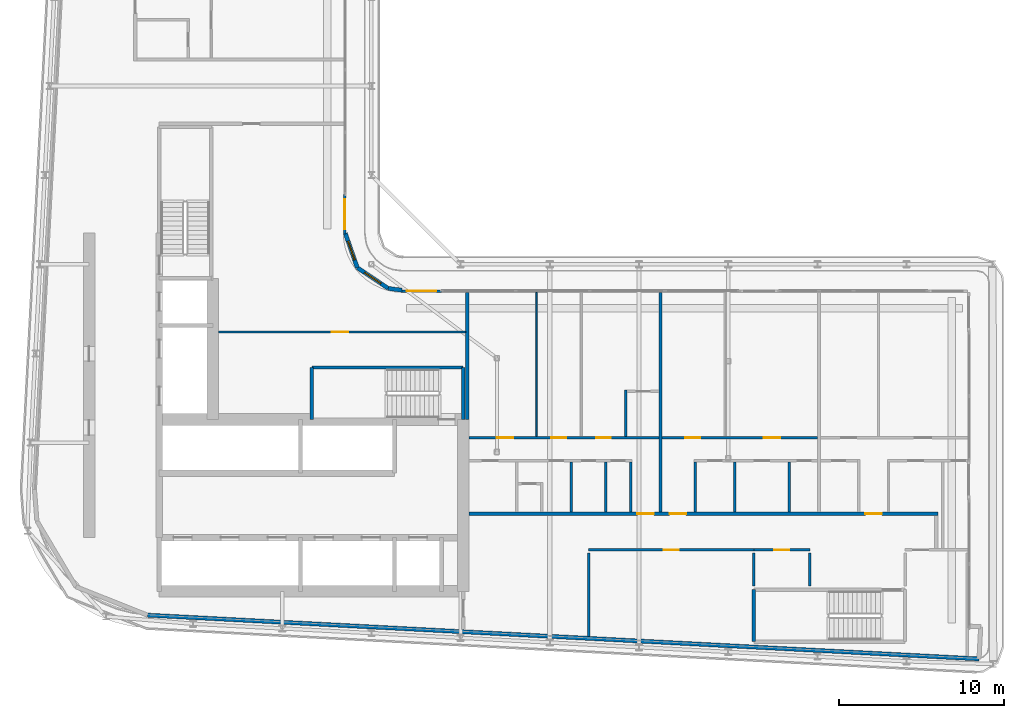
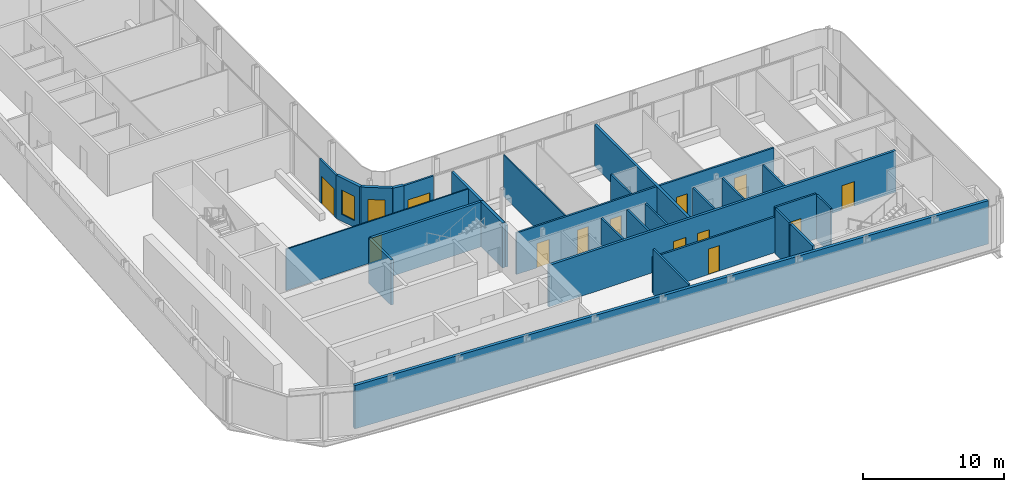
# One storey, part 11 of 22: 29 walls, 13 doors, 2 windows, 15 openings.
"""IFC4 building model written with IfcOpenShell, lengths in metres."""

from ifc_helpers import new_model, si_unit, direction, frame, frame_2d, origin, place, context, subcontext, project, spatial, rectangle, extrude, source, transform, mapped, material, layer, layer_set, type_object, element, fill, save


model = new_model("IFC4")

# Units and contexts
model_context = context("Model", 3, precision=1e-05, world=origin(), true_north=direction((0.0, 1.0)))
body_context = subcontext(model_context, "Body", "Model", "MODEL_VIEW")
ifc_project = project(units=[si_unit("LENGTHUNIT", "METRE"), si_unit("AREAUNIT", "SQUARE_METRE"), si_unit("VOLUMEUNIT", "CUBIC_METRE"), si_unit("PLANEANGLEUNIT", "RADIAN"), si_unit("MASSUNIT", "GRAM", prefix="KILO")], contexts=[model_context])

# Site, building, storey
site_placement = place(None, origin())
site = spatial("IfcSite", under=ifc_project, at=site_placement, CompositionType="ELEMENT")
building_placement = place(site_placement, origin())
building = spatial("IfcBuilding", under=site, at=building_placement, Name="Kheshtan School and Residences Tower", CompositionType="ELEMENT")
storey_placement = place(building_placement, frame((0.0, 0.0, 216.199951171875)))
storey = spatial("IfcBuildingStorey", under=building, at=storey_placement, Name="L50", CompositionType="ELEMENT", Elevation=216.199951171875)

# Wall, openings, doors
ifc_material_1 = material(Name="Gypsum board on steel studs with fire boards", Category="steel")
ifc_layer_1 = layer(ifc_material_1, 0.199951171875)
ifc_layer_set_1 = layer_set([ifc_layer_1], Name="Corridor wall 200")
wall_type_1 = type_object("IfcWallType", Name="Corridor wall 200", PredefinedType="PARTITIONING", material=ifc_layer_set_1)
wall_1_placement = place(storey_placement, frame((53.4990234375, 30.5, 0.0), z_axis=(0.0, 0.0, 1.0), x_axis=(1.0, 0.0, 0.0)))
wall_1 = element("IfcWall", 1, at=wall_1_placement, inside=storey, type_object=wall_type_1, Name="Partition L50-024", PredefinedType="PARTITIONING", context=body_context, shape_type="SweptSolid", body=[
    extrude(rectangle(XDim=28.40087890625, YDim=0.199951171875, at=frame_2d((14.200439453125, 0.0))), origin(), (0.0, 0.0, 1.0), 3.60009765625),
])
opening_1_placement = place(wall_1_placement, frame((10.200927734375, 0.0, 0.0)))
opening_1 = element("IfcOpeningElement", 2, at=opening_1_placement, cuts=wall_1, Name="Opening D50-004", PredefinedType="OPENING", context=body_context, shape_type="SweptSolid", body=[
    extrude(rectangle(XDim=1.0, YDim=2.10009765625, at=frame_2d((0.5, 1.050048828125))), frame((0.0, 0.10986328125, 0.0), z_axis=(0.0, -1.0, 0.0), x_axis=(1.0, 0.0, 0.0)), (0.0, 0.0, 1.0), 0.219970703125),
])
opening_2_placement = place(wall_1_placement, frame((12.15087890625, 0.0, 0.0)))
opening_2 = element("IfcOpeningElement", 3, at=opening_2_placement, cuts=wall_1, Name="Opening D50-013", PredefinedType="OPENING", context=body_context, shape_type="SweptSolid", body=[
    extrude(rectangle(XDim=1.0, YDim=2.10009765625, at=frame_2d((0.5, 1.050048828125))), frame((0.0, 0.10986328125, 0.0), z_axis=(0.0, -1.0, 0.0), x_axis=(1.0, 0.0, 0.0)), (0.0, 0.0, 1.0), 0.219970703125),
])
opening_3_placement = place(wall_1_placement, frame((24.0009765625, 0.0, 0.0)))
opening_3 = element("IfcOpeningElement", 4, at=opening_3_placement, cuts=wall_1, Name="Opening D50-019", PredefinedType="OPENING", context=body_context, shape_type="SweptSolid", body=[
    extrude(rectangle(XDim=1.0, YDim=2.10009765625, at=frame_2d((0.5, 1.050048828125))), frame((0.0, 0.10986328125, 0.0), z_axis=(0.0, -1.0, 0.0), x_axis=(1.0, 0.0, 0.0)), (0.0, 0.0, 1.0), 0.219970703125),
])
ifc_material_2 = material(Name="Steel-framed fire-resisting door leaf", Category="steel")
door_type_1 = type_object("IfcDoorType", Name="Fire door FD30S 1000 x 2100", OperationType="SINGLE_SWING_LEFT", PredefinedType="DOOR", material=ifc_material_2)
shared_shape_1 = source(origin(), body_context, "Body", "SweptSolid", [
    extrude(rectangle(XDim=1.0, YDim=2.10009765625, at=frame_2d((0.5, 1.050048828125))), frame((0.0, 0.02490234375, 0.0), z_axis=(0.0, -1.0, 0.0), x_axis=(1.0, 0.0, 0.0)), (0.0, 0.0, 1.0), 0.050048828125),
])
door_1_placement = place(opening_1_placement, origin())
door_1 = element("IfcDoor", 5, at=door_1_placement, inside=storey, type_object=door_type_1, Name="Door D50-004", OperationType="SINGLE_SWING_RIGHT", OverallHeight=2.10009765625, OverallWidth=1.0, PredefinedType="DOOR", context=body_context, shape_type="MappedRepresentation", body=[
    mapped(shared_shape_1, transform((0.0, 0.0, 0.0), x_axis=(1.0, 0.0, 0.0), y_axis=(0.0, 1.0, 0.0), z_axis=(0.0, 0.0, 1.0), scale=1.0)),
])
fill(opening_1, door_1)
door_2_placement = place(opening_2_placement, origin())
door_2 = element("IfcDoor", 6, at=door_2_placement, inside=storey, type_object=door_type_1, Name="Door D50-013", OperationType="SINGLE_SWING_RIGHT", OverallHeight=2.10009765625, OverallWidth=1.0, PredefinedType="DOOR", context=body_context, shape_type="MappedRepresentation", body=[
    mapped(shared_shape_1, transform((0.0, 0.0, 0.0), x_axis=(1.0, 0.0, 0.0), y_axis=(0.0, 1.0, 0.0), z_axis=(0.0, 0.0, 1.0), scale=1.0)),
])
fill(opening_2, door_2)
door_3_placement = place(opening_3_placement, origin())
door_3 = element("IfcDoor", 7, at=door_3_placement, inside=storey, type_object=door_type_1, Name="Door D50-019", OperationType="SINGLE_SWING_RIGHT", OverallHeight=2.10009765625, OverallWidth=1.0, PredefinedType="DOOR", context=body_context, shape_type="MappedRepresentation", body=[
    mapped(shared_shape_1, transform((0.0, 0.0, 0.0), x_axis=(1.0, 0.0, 0.0), y_axis=(0.0, 1.0, 0.0), z_axis=(0.0, 0.0, 1.0), scale=1.0)),
])
fill(opening_3, door_3)

# Wall, opening, window
ifc_material_3 = material(Name="Concrete C40/50 with ceramic cladding and mineral wool insulation", Category="concrete")
ifc_layer_2 = layer(ifc_material_3, 0.25)
ifc_layer_set_2 = layer_set([ifc_layer_2], Name="External wall 250 ceramic clad")
wall_type_2 = type_object("IfcWallType", Name="External wall 250 ceramic clad", PredefinedType="SOLIDWALL", material=ifc_layer_set_2)
wall_2_placement = place(storey_placement, frame((46.01806640625, 47.470947265625, 0.0), z_axis=(0.0, 0.0, 1.0), x_axis=(0.328791208903, -0.944402637093, 0.0)))
wall_2 = element("IfcWall", 8, at=wall_2_placement, inside=storey, type_object=wall_type_2, Name="External wall L50 5", PredefinedType="SOLIDWALL", context=body_context, shape_type="SweptSolid", body=[
    extrude(rectangle(XDim=2.20458984375, YDim=0.25, at=frame_2d((1.102294921875, 0.0))), origin(), (0.0, 0.0, 1.0), 3.75),
])
opening_4_placement = place(wall_2_placement, frame((0.5029296875, 0.0, 0.60009765625)))
opening_4 = element("IfcOpeningElement", 9, at=opening_4_placement, cuts=wall_2, Name="Opening WN-E", PredefinedType="OPENING", context=body_context, shape_type="SweptSolid", body=[
    extrude(rectangle(XDim=1.199951171875, YDim=2.10009765625, at=frame_2d((0.60009765625, 1.050048828125))), frame((0.0, 0.135009765625, 0.0), z_axis=(0.0, -1.0, 0.0), x_axis=(1.0, 0.0, 0.0)), (0.0, 0.0, 1.0), 0.27001953125),
])
ifc_material_4 = material(Name="Clear low-e glass in thermally broken aluminium frame", Category="aluminium")
window_type = type_object("IfcWindowType", Name="Window WN-E", PartitioningType="SINGLE_PANEL", PredefinedType="WINDOW", material=ifc_material_4)
shared_shape_2 = source(origin(), body_context, "Body", "SweptSolid", [
    extrude(rectangle(XDim=1.199951171875, YDim=2.10009765625, at=frame_2d((0.60009765625, 1.050048828125))), frame((0.0, 0.030029296875, 0.0), z_axis=(0.0, -1.0, 0.0), x_axis=(1.0, 0.0, 0.0)), (0.0, 0.0, 1.0), 0.06005859375),
])
window_1_placement = place(opening_4_placement, origin())
window_1 = element("IfcWindow", 10, at=window_1_placement, inside=storey, type_object=window_type, Name="Window L50 5", OverallHeight=2.10009765625, OverallWidth=1.199951171875, PartitioningType="SINGLE_PANEL", PredefinedType="WINDOW", context=body_context, shape_type="MappedRepresentation", body=[
    mapped(shared_shape_2, transform((0.0, 0.0, 0.0), x_axis=(1.0, 0.0, 0.0), y_axis=(0.0, 1.0, 0.0), z_axis=(0.0, 0.0, 1.0), scale=1.0)),
])
fill(opening_4, window_1)

wall_3_placement = place(storey_placement, frame((46.742919921875, 45.388916015625, 0.0), z_axis=(0.0, 0.0, 1.0), x_axis=(0.831449265529, -0.555600682912, 0.0)))
wall_3 = element("IfcWall", 11, at=wall_3_placement, inside=storey, type_object=wall_type_2, Name="External wall L50 6", PredefinedType="SOLIDWALL", context=body_context, shape_type="SweptSolid", body=[
    extrude(rectangle(XDim=2.25146484375, YDim=0.25, at=frame_2d((1.125732421875, 0.0))), origin(), (0.0, 0.0, 1.0), 3.75),
])
opening_5_placement = place(wall_3_placement, frame((0.52490234375, 0.0, 0.60009765625)))
opening_5 = element("IfcOpeningElement", 12, at=opening_5_placement, cuts=wall_3, Name="Opening WN-E", PredefinedType="OPENING", context=body_context, shape_type="SweptSolid", body=[
    extrude(rectangle(XDim=1.199951171875, YDim=2.10009765625, at=frame_2d((0.60009765625, 1.050048828125))), frame((0.0, 0.135009765625, 0.0), z_axis=(0.0, -1.0, 0.0), x_axis=(1.0, 0.0, 0.0)), (0.0, 0.0, 1.0), 0.27001953125),
])
window_2_placement = place(opening_5_placement, origin())
window_2 = element("IfcWindow", 13, at=window_2_placement, inside=storey, type_object=window_type, Name="Window L50 6", OverallHeight=2.10009765625, OverallWidth=1.199951171875, PartitioningType="SINGLE_PANEL", PredefinedType="WINDOW", context=body_context, shape_type="MappedRepresentation", body=[
    mapped(shared_shape_2, transform((0.0, 0.0, 0.0), x_axis=(1.0, 0.0, 0.0), y_axis=(0.0, 1.0, 0.0), z_axis=(0.0, 0.0, 1.0), scale=1.0)),
])
fill(opening_5, window_2)

# Walls
wall_4_placement = place(storey_placement, frame((48.614990234375, 44.137939453125, 0.0), z_axis=(0.0, 0.0, 1.0), x_axis=(0.990741504246, -0.135761819977, 0.0)))
element("IfcWall", 14, at=wall_4_placement, inside=storey, type_object=wall_type_2, Name="External wall L50 7", PredefinedType="SOLIDWALL", context=body_context, shape_type="SweptSolid", body=[
    extrude(rectangle(XDim=0.83984375, YDim=0.25, at=frame_2d((0.419921875, 0.0))), origin(), (0.0, 0.0, 1.0), 3.75),
])
wall_5_placement = place(storey_placement, frame((84.385986328125, 21.702880859375, 0.0), z_axis=(0.0, 0.0, 1.0), x_axis=(-0.998617508267, 0.05256493302, 0.0)))
element("IfcWall", 15, at=wall_5_placement, inside=storey, type_object=wall_type_2, Name="External wall L50 12", PredefinedType="SOLIDWALL", context=body_context, shape_type="SweptSolid", body=[
    extrude(rectangle(XDim=50.41650390625, YDim=0.25, at=frame_2d((25.208251953125, 0.0))), origin(), (0.0, 0.0, 1.0), 3.75),
])

# Wall, opening, door
ifc_material_5 = material(Name="Aluminium frame wall with insulated infill", Category="aluminium")
ifc_layer_3 = layer(ifc_material_5, 0.14990234375)
ifc_layer_set_3 = layer_set([ifc_layer_3], Name="Glazing frame wall 150")
wall_type_3 = type_object("IfcWallType", Name="Glazing frame wall 150", PredefinedType="SOLIDWALL", material=ifc_layer_set_3)
wall_6_placement = place(storey_placement, frame((45.97509765625, 49.830078125, 0.0), z_axis=(0.0, 0.0, 1.0), x_axis=(0.0, -1.0, 0.0)))
wall_6 = element("IfcWall", 16, at=wall_6_placement, inside=storey, type_object=wall_type_3, Name="Balcony door wall L50 4.4", PredefinedType="SOLIDWALL", context=body_context, shape_type="SweptSolid", body=[
    extrude(rectangle(XDim=2.400146484375, YDim=0.14990234375, at=frame_2d((1.2001953125, 0.0))), origin(), (0.0, 0.0, 1.0), 3.75),
])
opening_6_placement = place(wall_6_placement, frame((0.300048828125, 0.0, 0.0)))
opening_6 = element("IfcOpeningElement", 17, at=opening_6_placement, cuts=wall_6, Name="Opening BD", PredefinedType="OPENING", context=body_context, shape_type="SweptSolid", body=[
    extrude(rectangle(XDim=1.800048828125, YDim=2.39990234375, at=frame_2d((0.89990234375, 1.199951171875))), frame((0.0, 0.0849609375, 0.0), z_axis=(0.0, -1.0, 0.0), x_axis=(1.0, 0.0, 0.0)), (0.0, 0.0, 1.0), 0.169921875),
])
door_type_2 = type_object("IfcDoorType", Name="Balcony sliding door", OperationType="SLIDING_TO_LEFT", PredefinedType="DOOR", material=ifc_material_4)
shared_shape_3 = source(origin(), body_context, "Body", "SweptSolid", [
    extrude(rectangle(XDim=1.800048828125, YDim=2.39990234375, at=frame_2d((0.89990234375, 1.199951171875))), frame((0.0, 0.02490234375, 0.0), z_axis=(0.0, -1.0, 0.0), x_axis=(1.0, 0.0, 0.0)), (0.0, 0.0, 1.0), 0.050048828125),
])
door_4_placement = place(opening_6_placement, origin())
door_4 = element("IfcDoor", 18, at=door_4_placement, inside=storey, type_object=door_type_2, Name="Balcony door L50 4.4", OperationType="SLIDING_TO_LEFT", OverallHeight=2.39990234375, OverallWidth=1.800048828125, PredefinedType="DOOR", context=body_context, shape_type="MappedRepresentation", body=[
    mapped(shared_shape_3, transform((0.0, 0.0, 0.0), x_axis=(1.0, 0.0, 0.0), y_axis=(0.0, 1.0, 0.0), z_axis=(0.0, 0.0, 1.0), scale=1.0)),
])
fill(opening_6, door_4)

wall_7_placement = place(storey_placement, frame((49.429931640625, 43.97509765625, 0.0), z_axis=(0.0, 0.0, 1.0), x_axis=(1.0, 0.0, 0.0)))
wall_7 = element("IfcWall", 19, at=wall_7_placement, inside=storey, type_object=wall_type_3, Name="Balcony door wall L50 8.1", PredefinedType="SOLIDWALL", context=body_context, shape_type="SweptSolid", body=[
    extrude(rectangle(XDim=2.400146484375, YDim=0.14990234375, at=frame_2d((1.2001953125, 0.0))), origin(), (0.0, 0.0, 1.0), 3.75),
])
opening_7_placement = place(wall_7_placement, frame((0.300048828125, 0.0, 0.0)))
opening_7 = element("IfcOpeningElement", 20, at=opening_7_placement, cuts=wall_7, Name="Opening BD", PredefinedType="OPENING", context=body_context, shape_type="SweptSolid", body=[
    extrude(rectangle(XDim=1.800048828125, YDim=2.39990234375, at=frame_2d((0.89990234375, 1.199951171875))), frame((0.0, 0.0849609375, 0.0), z_axis=(0.0, -1.0, 0.0), x_axis=(1.0, 0.0, 0.0)), (0.0, 0.0, 1.0), 0.169921875),
])
door_5_placement = place(opening_7_placement, origin())
door_5 = element("IfcDoor", 21, at=door_5_placement, inside=storey, type_object=door_type_2, Name="Balcony door L50 8.1", OperationType="SLIDING_TO_LEFT", OverallHeight=2.39990234375, OverallWidth=1.800048828125, PredefinedType="DOOR", context=body_context, shape_type="MappedRepresentation", body=[
    mapped(shared_shape_3, transform((0.0, 0.0, 0.0), x_axis=(1.0, 0.0, 0.0), y_axis=(0.0, 1.0, 0.0), z_axis=(0.0, 0.0, 1.0), scale=1.0)),
])
fill(opening_7, door_5)

ifc_material_6 = material(Name="Gypsum board on steel studs", Category="steel")
ifc_layer_4 = layer(ifc_material_6, 0.10009765625)
ifc_layer_set_4 = layer_set([ifc_layer_4], Name="Gypsum partition 100")
wall_type_4 = type_object("IfcWallType", Name="Gypsum partition 100", PredefinedType="PARTITIONING", material=ifc_layer_set_4)
wall_8_placement = place(storey_placement, frame((38.34912109375, 41.5, 0.0), z_axis=(0.0, 0.0, 1.0), x_axis=(1.0, 0.0, 0.0)))
wall_8 = element("IfcWall", 22, at=wall_8_placement, inside=storey, type_object=wall_type_4, Name="Partition L50-021", PredefinedType="PARTITIONING", context=body_context, shape_type="SweptSolid", body=[
    extrude(rectangle(XDim=14.950927734375, YDim=0.10009765625, at=frame_2d((7.4755859375, 0.0))), origin(), (0.0, 0.0, 1.0), 3.60009765625),
])
opening_8_placement = place(wall_8_placement, frame((6.85107421875, 0.0, 0.0)))
opening_8 = element("IfcOpeningElement", 23, at=opening_8_placement, cuts=wall_8, Name="Opening D50-035", PredefinedType="OPENING", context=body_context, shape_type="SweptSolid", body=[
    extrude(rectangle(XDim=1.0, YDim=2.10009765625, at=frame_2d((0.5, 1.050048828125))), frame((0.0, 0.06005859375, 0.0), z_axis=(0.0, -1.0, 0.0), x_axis=(1.0, 0.0, 0.0)), (0.0, 0.0, 1.0), 0.1201171875),
])
ifc_material_7 = material(Name="Veneered timber door leaf", Category="wood")
door_type_3 = type_object("IfcDoorType", Name="Door 1000 x 2100", OperationType="SINGLE_SWING_LEFT", PredefinedType="DOOR", material=ifc_material_7)
shared_shape_4 = source(origin(), body_context, "Body", "SweptSolid", [
    extrude(rectangle(XDim=1.0, YDim=2.10009765625, at=frame_2d((0.5, 1.050048828125))), frame((0.0, 0.02490234375, 0.0), z_axis=(0.0, -1.0, 0.0), x_axis=(1.0, 0.0, 0.0)), (0.0, 0.0, 1.0), 0.050048828125),
])
door_6_placement = place(opening_8_placement, origin())
door_6 = element("IfcDoor", 24, at=door_6_placement, inside=storey, type_object=door_type_3, Name="Door D50-035", OperationType="SINGLE_SWING_RIGHT", OverallHeight=2.10009765625, OverallWidth=1.0, PredefinedType="DOOR", context=body_context, shape_type="MappedRepresentation", body=[
    mapped(shared_shape_4, transform((0.0, 0.0, 0.0), x_axis=(1.0, 0.0, 0.0), y_axis=(0.0, 1.0, 0.0), z_axis=(0.0, 0.0, 1.0), scale=1.0)),
])
fill(opening_8, door_6)

# Wall
wall_9_placement = place(storey_placement, frame((57.60009765625, 35.175048828125, 0.0), z_axis=(0.0, 0.0, 1.0), x_axis=(0.0, 1.0, 0.0)))
element("IfcWall", 25, at=wall_9_placement, inside=storey, type_object=wall_type_4, Name="Partition L50-029", PredefinedType="PARTITIONING", context=body_context, shape_type="SweptSolid", body=[
    extrude(rectangle(XDim=8.724853515625, YDim=0.10009765625, at=frame_2d((4.3623046875, 0.0))), origin(), (0.0, 0.0, 1.0), 3.60009765625),
])

# Wall, opening, door
ifc_material_8 = material(Name="Fire-board shaft wall system")
ifc_layer_5 = layer(ifc_material_8, 0.14990234375)
ifc_layer_set_5 = layer_set([ifc_layer_5], Name="Service room wall 150")
wall_type_5 = type_object("IfcWallType", Name="Service room wall 150", PredefinedType="PARTITIONING", material=ifc_layer_set_5)
wall_10_placement = place(storey_placement, frame((60.75, 28.300048828125, 0.0), z_axis=(0.0, 0.0, 1.0), x_axis=(1.0, 0.0, 0.0)))
wall_10 = element("IfcWall", 26, at=wall_10_placement, inside=storey, type_object=wall_type_5, Name="Service room wall", PredefinedType="PARTITIONING", context=body_context, shape_type="SweptSolid", body=[
    extrude(rectangle(XDim=10.0, YDim=0.14990234375, at=frame_2d((5.0, 0.0))), origin(), (0.0, 0.0, 1.0), 3.072021484375),
])
opening_9_placement = place(wall_10_placement, frame((4.550048828125, 0.0, 0.0)))
opening_9 = element("IfcOpeningElement", 27, at=opening_9_placement, cuts=wall_10, Name="Opening SR90", PredefinedType="OPENING", context=body_context, shape_type="SweptSolid", body=[
    extrude(rectangle(XDim=0.89990234375, YDim=2.199951171875, at=frame_2d((0.449951171875, 1.10009765625))), frame((0.0, 0.0849609375, 0.0), z_axis=(0.0, -1.0, 0.0), x_axis=(1.0, 0.0, 0.0)), (0.0, 0.0, 1.0), 0.169921875),
])
ifc_material_9 = material(Name="Steel door leaf, galvanised", Category="steel")
door_type_4 = type_object("IfcDoorType", Name="Service room door 900 steel 90 min", OperationType="SINGLE_SWING_LEFT", PredefinedType="DOOR", material=ifc_material_9)
shared_shape_5 = source(origin(), body_context, "Body", "SweptSolid", [
    extrude(rectangle(XDim=0.89990234375, YDim=2.199951171875, at=frame_2d((0.449951171875, 1.10009765625))), frame((0.0, 0.02490234375, 0.0), z_axis=(0.0, -1.0, 0.0), x_axis=(1.0, 0.0, 0.0)), (0.0, 0.0, 1.0), 0.050048828125),
])
door_7_placement = place(opening_9_placement, origin())
door_7 = element("IfcDoor", 28, at=door_7_placement, inside=storey, type_object=door_type_4, Name="Service room door", OperationType="SINGLE_SWING_LEFT", OverallHeight=2.199951171875, OverallWidth=0.89990234375, PredefinedType="DOOR", context=body_context, shape_type="MappedRepresentation", body=[
    mapped(shared_shape_5, transform((0.0, 0.0, 0.0), x_axis=(1.0, 0.0, 0.0), y_axis=(0.0, 1.0, 0.0), z_axis=(0.0, 0.0, 1.0), scale=1.0)),
])
fill(opening_9, door_7)

# Walls
wall_11_placement = place(storey_placement, frame((60.75, 23.074951171875, 0.0), z_axis=(0.0, 0.0, 1.0), x_axis=(0.0, 1.0, 0.0)))
element("IfcWall", 29, at=wall_11_placement, inside=storey, type_object=wall_type_5, Name="Service room wall", PredefinedType="PARTITIONING", context=body_context, shape_type="SweptSolid", body=[
    extrude(rectangle(XDim=5.030029296875, YDim=0.14990234375, at=frame_2d((2.51513671875, 0.0))), origin(), (0.0, 0.0, 1.0), 3.900146484375),
])
wall_12_placement = place(storey_placement, frame((70.75, 26.1201171875, 0.0), z_axis=(0.0, 0.0, 1.0), x_axis=(0.0, 1.0, 0.0)))
element("IfcWall", 30, at=wall_12_placement, inside=storey, type_object=wall_type_5, Name="Service room wall", PredefinedType="PARTITIONING", context=body_context, shape_type="SweptSolid", body=[
    extrude(rectangle(XDim=1.98486328125, YDim=0.14990234375, at=frame_2d((0.992431640625, 0.0))), origin(), (0.0, 0.0, 1.0), 3.900146484375),
])

# Wall, opening, door
wall_13_placement = place(storey_placement, frame((70.75, 28.300048828125, 0.0), z_axis=(0.0, 0.0, 1.0), x_axis=(1.0, 0.0, 0.0)))
wall_13 = element("IfcWall", 31, at=wall_13_placement, inside=storey, type_object=wall_type_5, Name="Service room wall", PredefinedType="PARTITIONING", context=body_context, shape_type="SweptSolid", body=[
    extrude(rectangle(XDim=3.39404296875, YDim=0.14990234375, at=frame_2d((1.697021484375, 0.0))), origin(), (0.0, 0.0, 1.0), 3.900146484375),
])
opening_10_placement = place(wall_13_placement, frame((1.2470703125, 0.0, 0.0)))
opening_10 = element("IfcOpeningElement", 32, at=opening_10_placement, cuts=wall_13, Name="Opening SR90", PredefinedType="OPENING", context=body_context, shape_type="SweptSolid", body=[
    extrude(rectangle(XDim=0.89990234375, YDim=2.199951171875, at=frame_2d((0.449951171875, 1.10009765625))), frame((0.0, 0.0849609375, 0.0), z_axis=(0.0, -1.0, 0.0), x_axis=(1.0, 0.0, 0.0)), (0.0, 0.0, 1.0), 0.169921875),
])
door_8_placement = place(opening_10_placement, origin())
door_8 = element("IfcDoor", 33, at=door_8_placement, inside=storey, type_object=door_type_4, Name="Service room door", OperationType="SINGLE_SWING_LEFT", OverallHeight=2.199951171875, OverallWidth=0.89990234375, PredefinedType="DOOR", context=body_context, shape_type="MappedRepresentation", body=[
    mapped(shared_shape_5, transform((0.0, 0.0, 0.0), x_axis=(1.0, 0.0, 0.0), y_axis=(0.0, 1.0, 0.0), z_axis=(0.0, 0.0, 1.0), scale=1.0)),
])
fill(opening_10, door_8)

# Walls
wall_14_placement = place(storey_placement, frame((74.14404296875, 26.1201171875, 0.0), z_axis=(0.0, 0.0, 1.0), x_axis=(0.0, 1.0, 0.0)))
element("IfcWall", 34, at=wall_14_placement, inside=storey, type_object=wall_type_5, Name="Service room wall", PredefinedType="PARTITIONING", context=body_context, shape_type="SweptSolid", body=[
    extrude(rectangle(XDim=1.98486328125, YDim=0.14990234375, at=frame_2d((0.992431640625, 0.0))), origin(), (0.0, 0.0, 1.0), 3.900146484375),
])
ifc_material_10 = material(Name="Concrete C40/50", Category="concrete")
ifc_layer_6 = layer(ifc_material_10, 0.199951171875)
ifc_layer_set_6 = layer_set([ifc_layer_6], Name="Stair enclosure wall 200 Concrete C40/50")
wall_type_6 = type_object("IfcWallType", Name="Stair enclosure wall 200 Concrete C40/50", PredefinedType="SHEAR", material=ifc_layer_set_6)
wall_15_placement = place(storey_placement, frame((43.989990234375, 39.35009765625, 0.0), z_axis=(0.0, 0.0, 1.0), x_axis=(1.0, 0.0, 0.0)))
element("IfcWall", 35, at=wall_15_placement, inside=storey, type_object=wall_type_6, Name="Stair enclosure wall ST1", PredefinedType="SHEAR", context=body_context, shape_type="SweptSolid", body=[
    extrude(rectangle(XDim=9.159912109375, YDim=0.199951171875, at=frame_2d((4.580078125, 0.0))), origin(), (0.0, 0.0, 1.0), 3.900146484375),
])
for number, where, z_axis, x_axis, name in (
    (36, (43.989990234375, 36.199951171875, 0.0), (0.0, 0.0, 1.0), (0.0, 1.0, 0.0), "Stair enclosure wall ST1"),
    (37, (53.14990234375, 36.199951171875, 0.0), (0.0, 0.0, 1.0), (0.0, 1.0, 0.0), "Stair enclosure wall ST1"),
):
    element("IfcWall", number, at=place(storey_placement, frame(where, z_axis=z_axis, x_axis=x_axis)), inside=storey, type_object=wall_type_6, Name=name, PredefinedType="SHEAR", context=body_context, shape_type="SweptSolid", body=[
        extrude(rectangle(XDim=3.150146484375, YDim=0.199951171875, at=frame_2d((1.5751953125, 0.0))), origin(), (0.0, 0.0, 1.0), 3.900146484375),
    ])
wall_16_placement = place(storey_placement, frame((70.75, 22.75, 0.0), z_axis=(0.0, 0.0, 1.0), x_axis=(0.0, 1.0, 0.0)))
element("IfcWall", 38, at=wall_16_placement, inside=storey, type_object=wall_type_6, Name="Stair enclosure wall ST5", PredefinedType="SHEAR", context=body_context, shape_type="SweptSolid", body=[
    extrude(rectangle(XDim=3.14990234375, YDim=0.199951171875, at=frame_2d((1.574951171875, 0.0))), origin(), (0.0, 0.0, 1.0), 3.900146484375),
])
ifc_material_11 = material(Name="Twin gypsum board on steel studs with mineral wool", Category="steel")
ifc_layer_7 = layer(ifc_material_11, 0.199951171875)
ifc_layer_set_7 = layer_set([ifc_layer_7], Name="Unit demising wall 200")
wall_type_7 = type_object("IfcWallType", Name="Unit demising wall 200", PredefinedType="PARTITIONING", material=ifc_layer_set_7)
wall_17_placement = place(storey_placement, frame((53.39990234375, 36.198974609375, 0.0), z_axis=(0.0, 0.0, 1.0), x_axis=(0.0, 1.0, 0.0)))
element("IfcWall", 39, at=wall_17_placement, inside=storey, type_object=wall_type_7, Name="Partition L50-023", PredefinedType="PARTITIONING", context=body_context, shape_type="SweptSolid", body=[
    extrude(rectangle(XDim=7.700927734375, YDim=0.199951171875, at=frame_2d((3.8505859375, 0.0))), origin(), (0.0, 0.0, 1.0), 3.60009765625),
])
wall_18_placement = place(storey_placement, frame((65.10009765625, 30.60009765625, 0.0), z_axis=(0.0, 0.0, 1.0), x_axis=(0.0, 1.0, 0.0)))
element("IfcWall", 40, at=wall_18_placement, inside=storey, type_object=wall_type_7, Name="Partition L50-037", PredefinedType="PARTITIONING", context=body_context, shape_type="SweptSolid", body=[
    extrude(rectangle(XDim=13.2998046875, YDim=0.199951171875, at=frame_2d((6.64990234375, 0.0))), origin(), (0.0, 0.0, 1.0), 3.60009765625),
])

# Wall, openings, doors
ifc_material_12 = material(Name="Moisture-resistant gypsum board on steel studs", Category="steel")
ifc_layer_8 = layer(ifc_material_12, 0.14990234375)
ifc_layer_set_8 = layer_set([ifc_layer_8], Name="Wet-room partition 150")
wall_type_8 = type_object("IfcWallType", Name="Wet-room partition 150", PredefinedType="PARTITIONING", material=ifc_layer_set_8)
wall_19_placement = place(storey_placement, frame((53.4990234375, 35.10009765625, 0.0), z_axis=(0.0, 0.0, 1.0), x_axis=(1.0, 0.0, 0.0)))
wall_19 = element("IfcWall", 41, at=wall_19_placement, inside=storey, type_object=wall_type_8, Name="Partition L50-026", PredefinedType="PARTITIONING", context=body_context, shape_type="SweptSolid", body=[
    extrude(rectangle(XDim=11.5009765625, YDim=0.14990234375, at=frame_2d((5.75048828125, 0.0))), origin(), (0.0, 0.0, 1.0), 3.60009765625),
])
opening_11_placement = place(wall_19_placement, frame((5.0009765625, 0.0, 0.0)))
opening_11 = element("IfcOpeningElement", 42, at=opening_11_placement, cuts=wall_19, Name="Opening D50-002", PredefinedType="OPENING", context=body_context, shape_type="SweptSolid", body=[
    extrude(rectangle(XDim=0.89990234375, YDim=2.10009765625, at=frame_2d((0.449951171875, 1.050048828125))), frame((0.0, 0.0849609375, 0.0), z_axis=(0.0, -1.0, 0.0), x_axis=(1.0, 0.0, 0.0)), (0.0, 0.0, 1.0), 0.169921875),
])
opening_12_placement = place(wall_19_placement, frame((1.700927734375, 0.0, 0.0)))
opening_12 = element("IfcOpeningElement", 43, at=opening_12_placement, cuts=wall_19, Name="Opening D50-006", PredefinedType="OPENING", context=body_context, shape_type="SweptSolid", body=[
    extrude(rectangle(XDim=1.0, YDim=2.10009765625, at=frame_2d((0.5, 1.050048828125))), frame((0.0, 0.0849609375, 0.0), z_axis=(0.0, -1.0, 0.0), x_axis=(1.0, 0.0, 0.0)), (0.0, 0.0, 1.0), 0.169921875),
])
opening_13_placement = place(wall_19_placement, frame((7.700927734375, 0.0, 0.0)))
opening_13 = element("IfcOpeningElement", 44, at=opening_13_placement, cuts=wall_19, Name="Opening D50-009", PredefinedType="OPENING", context=body_context, shape_type="SweptSolid", body=[
    extrude(rectangle(XDim=0.89990234375, YDim=2.10009765625, at=frame_2d((0.449951171875, 1.050048828125))), frame((0.0, 0.0849609375, 0.0), z_axis=(0.0, -1.0, 0.0), x_axis=(1.0, 0.0, 0.0)), (0.0, 0.0, 1.0), 0.169921875),
])
door_9_placement = place(opening_12_placement, origin())
door_9 = element("IfcDoor", 45, at=door_9_placement, inside=storey, type_object=door_type_3, Name="Door D50-006", OperationType="SINGLE_SWING_RIGHT", OverallHeight=2.10009765625, OverallWidth=1.0, PredefinedType="DOOR", context=body_context, shape_type="MappedRepresentation", body=[
    mapped(shared_shape_4, transform((0.0, 0.0, 0.0), x_axis=(1.0, 0.0, 0.0), y_axis=(0.0, 1.0, 0.0), z_axis=(0.0, 0.0, 1.0), scale=1.0)),
])
fill(opening_12, door_9)
door_type_5 = type_object("IfcDoorType", Name="Door 900 x 2100", OperationType="SINGLE_SWING_LEFT", PredefinedType="DOOR", material=ifc_material_7)
shared_shape_6 = source(origin(), body_context, "Body", "SweptSolid", [
    extrude(rectangle(XDim=0.89990234375, YDim=2.10009765625, at=frame_2d((0.449951171875, 1.050048828125))), frame((0.0, 0.02490234375, 0.0), z_axis=(0.0, -1.0, 0.0), x_axis=(1.0, 0.0, 0.0)), (0.0, 0.0, 1.0), 0.050048828125),
])
door_10_placement = place(opening_11_placement, origin())
door_10 = element("IfcDoor", 46, at=door_10_placement, inside=storey, type_object=door_type_5, Name="Door D50-002", OperationType="SINGLE_SWING_LEFT", OverallHeight=2.10009765625, OverallWidth=0.89990234375, PredefinedType="DOOR", context=body_context, shape_type="MappedRepresentation", body=[
    mapped(shared_shape_6, transform((0.0, 0.0, 0.0), x_axis=(1.0, 0.0, 0.0), y_axis=(0.0, 1.0, 0.0), z_axis=(0.0, 0.0, 1.0), scale=1.0)),
])
fill(opening_11, door_10)
door_11_placement = place(opening_13_placement, origin())
door_11 = element("IfcDoor", 47, at=door_11_placement, inside=storey, type_object=door_type_5, Name="Door D50-009", OperationType="SINGLE_SWING_RIGHT", OverallHeight=2.10009765625, OverallWidth=0.89990234375, PredefinedType="DOOR", context=body_context, shape_type="MappedRepresentation", body=[
    mapped(shared_shape_6, transform((0.0, 0.0, 0.0), x_axis=(1.0, 0.0, 0.0), y_axis=(0.0, 1.0, 0.0), z_axis=(0.0, 0.0, 1.0), scale=1.0)),
])
fill(opening_13, door_11)

# Walls
for number, where, z_axis, x_axis, name in (
    (48, (59.699951171875, 30.60009765625, 0.0), (0.0, 0.0, 1.0), (0.0, 1.0, 0.0), "Partition L50-031"),
    (49, (61.800048828125, 30.60009765625, 0.0), (0.0, 0.0, 1.0), (0.0, 1.0, 0.0), "Partition L50-033"),
):
    element("IfcWall", number, at=place(storey_placement, frame(where, z_axis=z_axis, x_axis=x_axis)), inside=storey, type_object=wall_type_8, Name=name, PredefinedType="PARTITIONING", context=body_context, shape_type="SweptSolid", body=[
        extrude(rectangle(XDim=3.02490234375, YDim=0.14990234375, at=frame_2d((1.512451171875, 0.0))), origin(), (0.0, 0.0, 1.0), 3.60009765625),
    ])
wall_20_placement = place(storey_placement, frame((63.0, 35.175048828125, 0.0), z_axis=(0.0, 0.0, 1.0), x_axis=(0.0, 1.0, 0.0)))
element("IfcWall", 50, at=wall_20_placement, inside=storey, type_object=wall_type_8, Name="Partition L50-034", PredefinedType="PARTITIONING", context=body_context, shape_type="SweptSolid", body=[
    extrude(rectangle(XDim=2.800048828125, YDim=0.14990234375, at=frame_2d((1.39990234375, 0.0))), origin(), (0.0, 0.0, 1.0), 3.60009765625),
])
wall_21_placement = place(storey_placement, frame((63.300048828125, 30.60009765625, 0.0), z_axis=(0.0, 0.0, 1.0), x_axis=(0.0, 1.0, 0.0)))
element("IfcWall", 51, at=wall_21_placement, inside=storey, type_object=wall_type_8, Name="Partition L50-036", PredefinedType="PARTITIONING", context=body_context, shape_type="SweptSolid", body=[
    extrude(rectangle(XDim=3.02490234375, YDim=0.14990234375, at=frame_2d((1.512451171875, 0.0))), origin(), (0.0, 0.0, 1.0), 3.60009765625),
])

# Wall, openings, doors
wall_22_placement = place(storey_placement, frame((65.199951171875, 35.10009765625, 0.0), z_axis=(0.0, 0.0, 1.0), x_axis=(1.0, 0.0, 0.0)))
wall_22 = element("IfcWall", 52, at=wall_22_placement, inside=storey, type_object=wall_type_8, Name="Partition L50-038", PredefinedType="PARTITIONING", context=body_context, shape_type="SweptSolid", body=[
    extrude(rectangle(XDim=9.400146484375, YDim=0.14990234375, at=frame_2d((4.7001953125, 0.0))), origin(), (0.0, 0.0, 1.0), 3.60009765625),
])
opening_14_placement = place(wall_22_placement, frame((1.39990234375, 0.0, 0.0)))
opening_14 = element("IfcOpeningElement", 53, at=opening_14_placement, cuts=wall_22, Name="Opening D50-012", PredefinedType="OPENING", context=body_context, shape_type="SweptSolid", body=[
    extrude(rectangle(XDim=0.89990234375, YDim=2.10009765625, at=frame_2d((0.449951171875, 1.050048828125))), frame((0.0, 0.0849609375, 0.0), z_axis=(0.0, -1.0, 0.0), x_axis=(1.0, 0.0, 0.0)), (0.0, 0.0, 1.0), 0.169921875),
])
opening_15_placement = place(wall_22_placement, frame((6.14990234375, 0.0, 0.0)))
opening_15 = element("IfcOpeningElement", 54, at=opening_15_placement, cuts=wall_22, Name="Opening D50-015", PredefinedType="OPENING", context=body_context, shape_type="SweptSolid", body=[
    extrude(rectangle(XDim=1.0, YDim=2.10009765625, at=frame_2d((0.5, 1.050048828125))), frame((0.0, 0.0849609375, 0.0), z_axis=(0.0, -1.0, 0.0), x_axis=(1.0, 0.0, 0.0)), (0.0, 0.0, 1.0), 0.169921875),
])
door_12_placement = place(opening_15_placement, origin())
door_12 = element("IfcDoor", 55, at=door_12_placement, inside=storey, type_object=door_type_3, Name="Door D50-015", OperationType="SINGLE_SWING_LEFT", OverallHeight=2.10009765625, OverallWidth=1.0, PredefinedType="DOOR", context=body_context, shape_type="MappedRepresentation", body=[
    mapped(shared_shape_4, transform((0.0, 0.0, 0.0), x_axis=(1.0, 0.0, 0.0), y_axis=(0.0, 1.0, 0.0), z_axis=(0.0, 0.0, 1.0), scale=1.0)),
])
fill(opening_15, door_12)
door_13_placement = place(opening_14_placement, origin())
door_13 = element("IfcDoor", 56, at=door_13_placement, inside=storey, type_object=door_type_5, Name="Door D50-012", OperationType="SINGLE_SWING_RIGHT", OverallHeight=2.10009765625, OverallWidth=0.89990234375, PredefinedType="DOOR", context=body_context, shape_type="MappedRepresentation", body=[
    mapped(shared_shape_6, transform((0.0, 0.0, 0.0), x_axis=(1.0, 0.0, 0.0), y_axis=(0.0, 1.0, 0.0), z_axis=(0.0, 0.0, 1.0), scale=1.0)),
])
fill(opening_14, door_13)

# Walls
for number, where, z_axis, x_axis, name in (
    (57, (67.199951171875, 30.60009765625, 0.0), (0.0, 0.0, 1.0), (0.0, 1.0, 0.0), "Partition L50-040"),
    (58, (69.60009765625, 30.60009765625, 0.0), (0.0, 0.0, 1.0), (0.0, 1.0, 0.0), "Partition L50-042"),
    (59, (72.89990234375, 30.60009765625, 0.0), (0.0, 0.0, 1.0), (0.0, 1.0, 0.0), "Partition L50-043"),
):
    element("IfcWall", number, at=place(storey_placement, frame(where, z_axis=z_axis, x_axis=x_axis)), inside=storey, type_object=wall_type_8, Name=name, PredefinedType="PARTITIONING", context=body_context, shape_type="SweptSolid", body=[
        extrude(rectangle(XDim=3.02490234375, YDim=0.14990234375, at=frame_2d((1.512451171875, 0.0))), origin(), (0.0, 0.0, 1.0), 3.60009765625),
    ])

save(model, "model.ifc")
